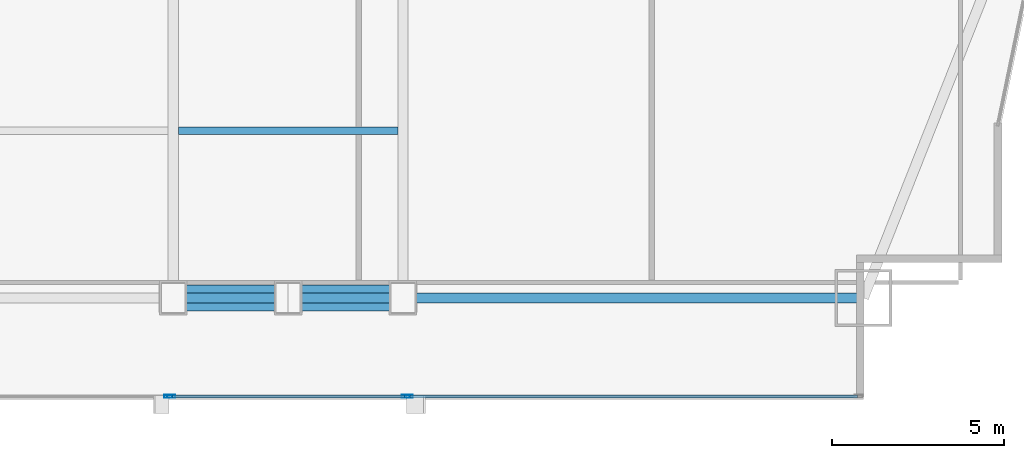
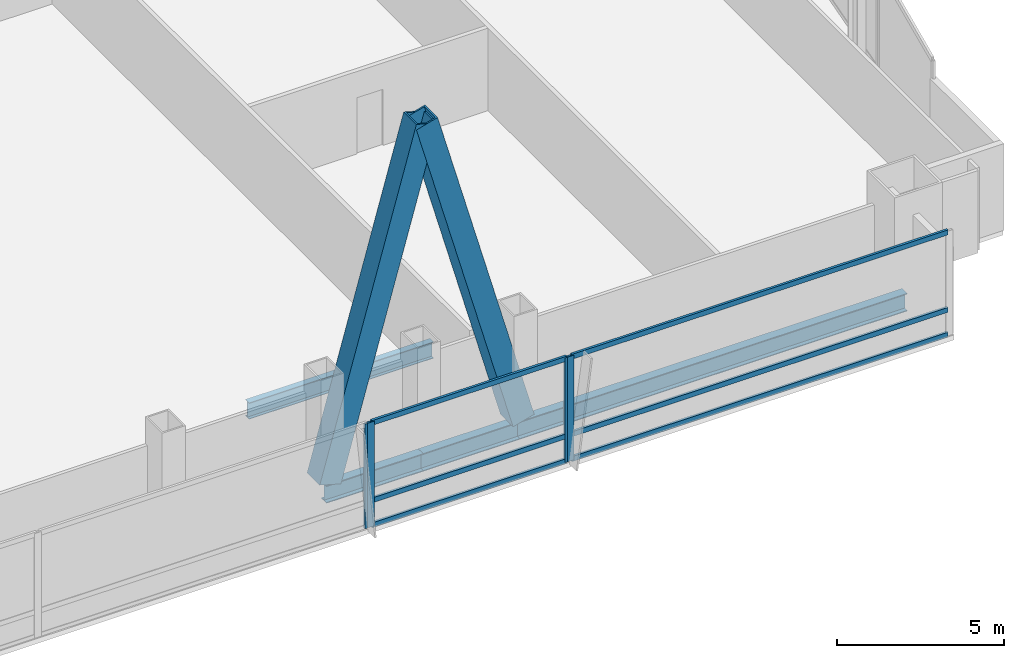
# One storey, part 14 of 36: 12 members, 4 beams, 3 elements without a shape of their own.
"""IFC4 building model written with IfcOpenShell, lengths in metres."""

from ifc_helpers import new_model, si_unit, direction, frame, origin, origin_2d, place, context, subcontext, project, spatial, hollow_rectangle, i_section, extrude, material, material_profile, profile_set, type_object, element, aggregate, save


model = new_model("IFC4")

# Units and contexts
model_context = context("Model", 3, precision=1e-05, world=origin(), true_north=direction((0.0, 1.0)))
body_context = subcontext(model_context, "Body", "Model", "MODEL_VIEW")
ifc_project = project(units=[si_unit("LENGTHUNIT", "METRE"), si_unit("AREAUNIT", "SQUARE_METRE"), si_unit("VOLUMEUNIT", "CUBIC_METRE"), si_unit("PLANEANGLEUNIT", "RADIAN"), si_unit("MASSUNIT", "GRAM", prefix="KILO")], contexts=[model_context])

# Site, building, storey
site_placement = place(None, origin())
site = spatial("IfcSite", under=ifc_project, at=site_placement, CompositionType="ELEMENT")
building_placement = place(site_placement, origin())
building = spatial("IfcBuilding", under=site, at=building_placement, Name="Khoronbel Lancet Exchange", CompositionType="ELEMENT")
storey_placement = place(building_placement, frame((0.0, 0.0, 49.800048828125)))
storey = spatial("IfcBuildingStorey", under=building, at=storey_placement, Name="L11", CompositionType="ELEMENT", Elevation=49.800048828125)

# Beams
ifc_material_1 = material(Name="Steel S355", Category="steel")
ifc_material_profile_1 = material_profile(ifc_material_1, i_section(OverallWidth=0.219970703125, OverallDepth=0.60009765625, WebThickness=0.011962890625, FlangeThickness=0.01904296875, at=origin_2d()), Name="IPE 600")
ifc_profile_set_1 = profile_set([ifc_material_profile_1], Name="Steel S355")
beam_type_1 = type_object("IfcBeamType", Name="BM-BJ1", PredefinedType="JOIST", material=ifc_profile_set_1)
beam_1_placement = place(storey_placement, frame((48.14990234375, 15.0, -0.47998046875), z_axis=(1.0, 0.0, 0.0), x_axis=(0.0, 1.0, 0.0)))
element("IfcBeam", 1, at=beam_1_placement, inside=storey, type_object=beam_type_1, Name="Level L11 secondary composite joist J05", PredefinedType="JOIST", context=body_context, shape_type="SweptSolid", body=[
    extrude(i_section(OverallWidth=0.219970703125, OverallDepth=0.60009765625, WebThickness=0.011962890625, FlangeThickness=0.01904296875, at=origin_2d()), origin(), (0.0, 0.0, 1.0), 6.375),
])
ifc_material_profile_2 = material_profile(ifc_material_1, i_section(OverallWidth=0.300048828125, OverallDepth=0.64990234375, WebThickness=0.01611328125, FlangeThickness=0.031005859375, at=origin_2d()), Name="HEB 650")
ifc_profile_set_2 = profile_set([ifc_material_profile_2], Name="Steel S355")
beam_type_2 = type_object("IfcBeamType", Name="BM-BSP1", PredefinedType="SPANDREL", material=ifc_profile_set_2)
beam_2_placement = place(storey_placement, frame((48.0, 10.14990234375, -0.505126953125), z_axis=(1.0, 0.0, 0.0), x_axis=(0.0, 1.0, 0.0)))
element("IfcBeam", 2, at=beam_2_placement, inside=storey, type_object=beam_type_2, Name="Level L11 perimeter spandrel beam SP07", PredefinedType="SPANDREL", context=body_context, shape_type="SweptSolid", body=[
    extrude(i_section(OverallWidth=0.300048828125, OverallDepth=0.64990234375, WebThickness=0.01611328125, FlangeThickness=0.031005859375, at=origin_2d()), origin(), (0.0, 0.0, 1.0), 3.33740234375),
])
beam_3_placement = place(storey_placement, frame((51.33740234375, 10.14990234375, -0.505126953125), z_axis=(1.0, 0.0, 0.0), x_axis=(0.0, 1.0, 0.0)))
element("IfcBeam", 3, at=beam_3_placement, inside=storey, type_object=beam_type_2, Name="Level L11 perimeter spandrel beam SP08", PredefinedType="SPANDREL", context=body_context, shape_type="SweptSolid", body=[
    extrude(i_section(OverallWidth=0.300048828125, OverallDepth=0.64990234375, WebThickness=0.01611328125, FlangeThickness=0.031005859375, at=origin_2d()), origin(), (0.0, 0.0, 1.0), 3.337646484375),
])
beam_4_placement = place(storey_placement, frame((54.675048828125, 10.14990234375, -0.505126953125), z_axis=(1.0, 0.0, 0.0), x_axis=(0.0, 1.0, 0.0)))
element("IfcBeam", 4, at=beam_4_placement, inside=storey, type_object=beam_type_2, Name="Level L11 perimeter spandrel beam SP09", PredefinedType="SPANDREL", context=body_context, shape_type="SweptSolid", body=[
    extrude(i_section(OverallWidth=0.300048828125, OverallDepth=0.64990234375, WebThickness=0.01611328125, FlangeThickness=0.031005859375, at=origin_2d()), origin(), (0.0, 0.0, 1.0), 13.375),
])

# Curtain wall, member
ifc_material_2 = material(Name="Low-E Solar Control Insulating Glass", Category="glass")
curtain_wall_type = type_object("IfcCurtainWallType", Name="CW-1", PredefinedType="NOTDEFINED", material=ifc_material_2)
curtain_wall_1_placement = place(storey_placement, origin())
curtain_wall_1 = element("IfcCurtainWall", 5, at=curtain_wall_1_placement, inside=storey, type_object=curtain_wall_type, Name="Unitised curtain wall CW-L11-SCV", PredefinedType="NOTDEFINED")
ifc_material_3 = material(Name="Bronze-Anodised Aluminium 6063-T6", Category="aluminium")
ifc_material_profile_3 = material_profile(ifc_material_3, hollow_rectangle(XDim=0.0849609375, YDim=0.239990234375, WallThickness=0.006103515625, at=origin_2d()), Name="ALU MULLION 85x240")
ifc_profile_set_3 = profile_set([ifc_material_profile_3], Name="Bronze-Anodised Aluminium 6063-T6")
member_type_1 = type_object("IfcMemberType", Name="MEM-CWM1", PredefinedType="MULLION", material=ifc_profile_set_3)
member_1_placement = place(storey_placement, frame((47.857421875, 7.2900390625, 0.0), z_axis=(0.0, 0.0, 1.0), x_axis=(0.0, 1.0, 0.0)))
member_1 = element("IfcMember", 6, at=member_1_placement, type_object=member_type_1, Name="CW1 mullion 3", PredefinedType="MULLION", context=body_context, shape_type="SweptSolid", body=[
    extrude(hollow_rectangle(XDim=0.0849609375, YDim=0.239990234375, WallThickness=0.006103515625, at=origin_2d()), origin(), (0.0, 0.0, 1.0), 3.820068359375),
])
aggregate(curtain_wall_1, [member_1])

# Curtain wall, members
curtain_wall_2_placement = place(storey_placement, origin())
curtain_wall_2 = element("IfcCurtainWall", 7, at=curtain_wall_2_placement, inside=storey, type_object=curtain_wall_type, Name="Unitised curtain wall CW-L11-SEB", PredefinedType="NOTDEFINED")
member_2_placement = place(storey_placement, frame((47.9423828125, 7.2900390625, 0.0), z_axis=(0.0, 0.0, 1.0), x_axis=(0.0, 1.0, 0.0)))
member_2 = element("IfcMember", 8, at=member_2_placement, type_object=member_type_1, Name="CW1 mullion 1", PredefinedType="MULLION", context=body_context, shape_type="SweptSolid", body=[
    extrude(hollow_rectangle(XDim=0.0849609375, YDim=0.239990234375, WallThickness=0.006103515625, at=origin_2d()), origin(), (0.0, 0.0, 1.0), 3.820068359375),
])
member_3_placement = place(storey_placement, frame((54.757568359375, 7.2900390625, 0.0), z_axis=(0.0, 0.0, 1.0), x_axis=(0.0, 1.0, 0.0)))
member_3 = element("IfcMember", 9, at=member_3_placement, type_object=member_type_1, Name="CW1 mullion 2", PredefinedType="MULLION", context=body_context, shape_type="SweptSolid", body=[
    extrude(hollow_rectangle(XDim=0.0849609375, YDim=0.239990234375, WallThickness=0.006103515625, at=origin_2d()), origin(), (0.0, 0.0, 1.0), 3.820068359375),
])

# Curtain wall, member
curtain_wall_3_placement = place(storey_placement, origin())
curtain_wall_3 = element("IfcCurtainWall", 10, at=curtain_wall_3_placement, inside=storey, type_object=curtain_wall_type, Name="Unitised curtain wall CW-L11-SEV", PredefinedType="NOTDEFINED")
member_4_placement = place(storey_placement, frame((54.842529296875, 7.2900390625, 0.0), z_axis=(0.0, 0.0, 1.0), x_axis=(0.0, 1.0, 0.0)))
member_4 = element("IfcMember", 11, at=member_4_placement, type_object=member_type_1, Name="CW1 mullion 1", PredefinedType="MULLION", context=body_context, shape_type="SweptSolid", body=[
    extrude(hollow_rectangle(XDim=0.0849609375, YDim=0.239990234375, WallThickness=0.006103515625, at=origin_2d()), origin(), (0.0, 0.0, 1.0), 3.820068359375),
])

# Member
ifc_material_profile_4 = material_profile(ifc_material_3, hollow_rectangle(XDim=0.0849609375, YDim=0.179931640625, WallThickness=0.0048828125, at=origin_2d()), Name="ALU TRANSOM 85x180")
ifc_profile_set_4 = profile_set([ifc_material_profile_4], Name="Bronze-Anodised Aluminium 6063-T6")
member_type_2 = type_object("IfcMemberType", Name="MEM-CWT1", PredefinedType="USERDEFINED", material=ifc_profile_set_4)
member_5_placement = place(storey_placement, frame((47.985107421875, 7.2900390625, 0.04248046875), z_axis=(1.0, 0.0, 0.0), x_axis=(0.0, 1.0, 0.0)))
member_5 = element("IfcMember", 12, at=member_5_placement, type_object=member_type_2, Name="CW1 transom 1.1", ObjectType="TRANSOM", PredefinedType="USERDEFINED", context=body_context, shape_type="SweptSolid", body=[
    extrude(hollow_rectangle(XDim=0.0849609375, YDim=0.179931640625, WallThickness=0.0048828125, at=origin_2d()), origin(), (0.0, 0.0, 1.0), 6.72998046875),
])

member_6_placement = place(storey_placement, frame((47.985107421875, 7.2900390625, 0.949951171875), z_axis=(1.0, 0.0, 0.0), x_axis=(0.0, 1.0, 0.0)))
member_6 = element("IfcMember", 13, at=member_6_placement, type_object=member_type_2, Name="CW1 transom 1.2", ObjectType="TRANSOM", PredefinedType="USERDEFINED", context=body_context, shape_type="SweptSolid", body=[
    extrude(hollow_rectangle(XDim=0.0849609375, YDim=0.179931640625, WallThickness=0.0048828125, at=origin_2d()), origin(), (0.0, 0.0, 1.0), 6.72998046875),
])

member_7_placement = place(storey_placement, frame((47.985107421875, 7.2900390625, 3.77734375), z_axis=(1.0, 0.0, 0.0), x_axis=(0.0, 1.0, 0.0)))
member_7 = element("IfcMember", 14, at=member_7_placement, type_object=member_type_2, Name="CW1 transom 1.3", ObjectType="TRANSOM", PredefinedType="USERDEFINED", context=body_context, shape_type="SweptSolid", body=[
    extrude(hollow_rectangle(XDim=0.0849609375, YDim=0.179931640625, WallThickness=0.0048828125, at=origin_2d()), origin(), (0.0, 0.0, 1.0), 6.72998046875),
])

aggregate(curtain_wall_2, [member_2, member_3, member_5, member_6, member_7])

member_8_placement = place(storey_placement, frame((54.885009765625, 7.2900390625, 0.04248046875), z_axis=(1.0, 0.0, 0.0), x_axis=(0.0, 1.0, 0.0)))
member_8 = element("IfcMember", 15, at=member_8_placement, type_object=member_type_2, Name="CW1 transom 1.1", ObjectType="TRANSOM", PredefinedType="USERDEFINED", context=body_context, shape_type="SweptSolid", body=[
    extrude(hollow_rectangle(XDim=0.0849609375, YDim=0.179931640625, WallThickness=0.0048828125, at=origin_2d()), origin(), (0.0, 0.0, 1.0), 12.989990234375),
])

member_9_placement = place(storey_placement, frame((54.885009765625, 7.2900390625, 0.949951171875), z_axis=(1.0, 0.0, 0.0), x_axis=(0.0, 1.0, 0.0)))
member_9 = element("IfcMember", 16, at=member_9_placement, type_object=member_type_2, Name="CW1 transom 1.2", ObjectType="TRANSOM", PredefinedType="USERDEFINED", context=body_context, shape_type="SweptSolid", body=[
    extrude(hollow_rectangle(XDim=0.0849609375, YDim=0.179931640625, WallThickness=0.0048828125, at=origin_2d()), origin(), (0.0, 0.0, 1.0), 12.989990234375),
])

member_10_placement = place(storey_placement, frame((54.885009765625, 7.2900390625, 3.77734375), z_axis=(1.0, 0.0, 0.0), x_axis=(0.0, 1.0, 0.0)))
member_10 = element("IfcMember", 17, at=member_10_placement, type_object=member_type_2, Name="CW1 transom 1.3", ObjectType="TRANSOM", PredefinedType="USERDEFINED", context=body_context, shape_type="SweptSolid", body=[
    extrude(hollow_rectangle(XDim=0.0849609375, YDim=0.179931640625, WallThickness=0.0048828125, at=origin_2d()), origin(), (0.0, 0.0, 1.0), 12.989990234375),
])

aggregate(curtain_wall_3, [member_4, member_8, member_9, member_10])

# Members
ifc_material_4 = material(Name="Steel S460", Category="steel")
ifc_material_profile_5 = material_profile(ifc_material_4, hollow_rectangle(XDim=0.760009765625, YDim=0.760009765625, WallThickness=0.054931640625, at=origin_2d()), Name="BOX 760x760x55")
ifc_profile_set_5 = profile_set([ifc_material_profile_5], Name="Steel S460")
member_type_3 = type_object("IfcMemberType", Name="MEM-MB1", PredefinedType="BRACE", material=ifc_profile_set_5)
for number, where, z_axis, x_axis, name in (
    (18, (48.0, 10.14990234375, 0.0), (0.267947134133, 0.0, 0.963433616452), (0.0, 1.0, 0.0), "Perimeter lancet brace tier 3 S-E-L"),
    (19, (54.675048828125, 10.14990234375, 0.0), (-0.267965327822, 0.0, 0.963428556295), (0.0, -1.0, 0.0), "Perimeter lancet brace tier 3 S-E-R"),
):
    element("IfcMember", number, at=place(storey_placement, frame(where, z_axis=z_axis, x_axis=x_axis)), inside=storey, type_object=member_type_3, Name=name, PredefinedType="BRACE", context=body_context, shape_type="SweptSolid", body=[
        extrude(hollow_rectangle(XDim=0.760009765625, YDim=0.760009765625, WallThickness=0.054931640625, at=origin_2d()), origin(), (0.0, 0.0, 1.0), 12.45556640625),
    ])

save(model, "model.ifc")
